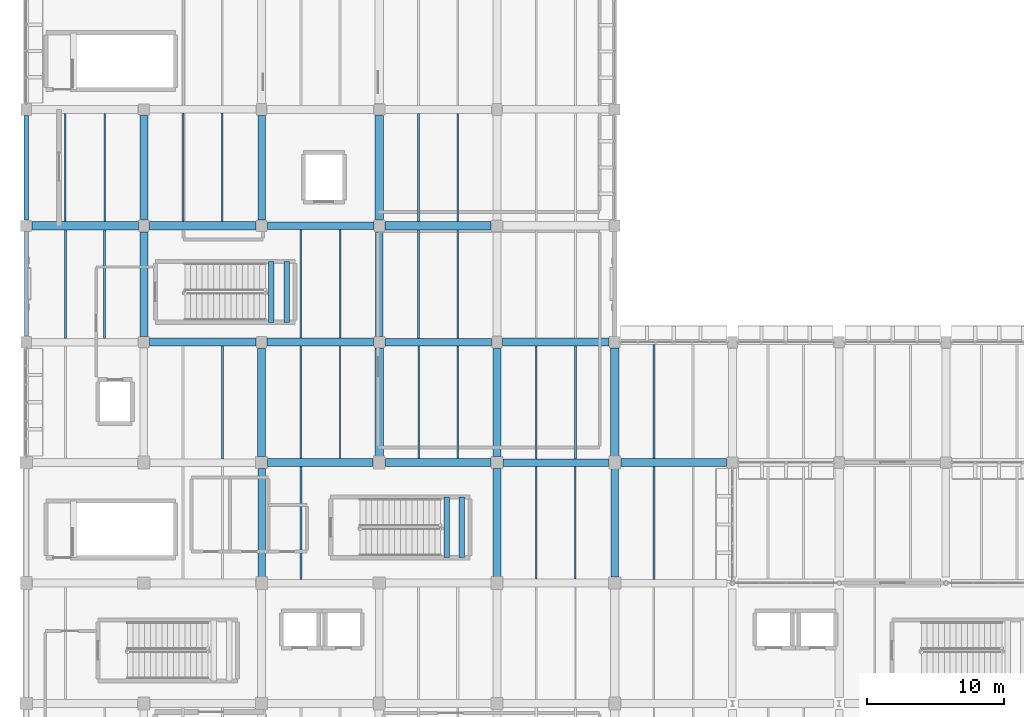
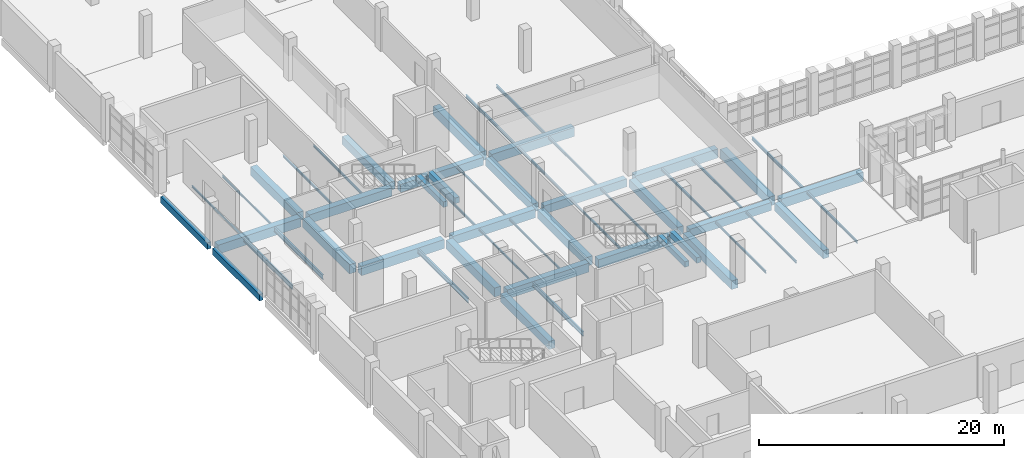
# One storey, part 16 of 76: 54 beams.
"""IFC4 building model written with IfcOpenShell, lengths in metres."""

from ifc_helpers import new_model, si_unit, direction, frame, origin, origin_2d, place, context, subcontext, project, spatial, rectangle, i_section, extrude, material, material_profile, profile_set, type_object, element, save


model = new_model("IFC4")

# Units and contexts
model_context = context("Model", 3, precision=1e-05, world=origin(), true_north=direction((0.0, 1.0)))
body_context = subcontext(model_context, "Body", "Model", "MODEL_VIEW")
ifc_project = project(units=[si_unit("LENGTHUNIT", "METRE"), si_unit("AREAUNIT", "SQUARE_METRE"), si_unit("VOLUMEUNIT", "CUBIC_METRE"), si_unit("PLANEANGLEUNIT", "RADIAN"), si_unit("MASSUNIT", "GRAM", prefix="KILO")], contexts=[model_context])

# Site, building, storey
site_placement = place(None, origin())
site = spatial("IfcSite", under=ifc_project, at=site_placement, CompositionType="ELEMENT")
building_placement = place(site_placement, origin())
building = spatial("IfcBuilding", under=site, at=building_placement, Name="Varnakota Cinema and Media Centre", CompositionType="ELEMENT")
storey_placement = place(building_placement, origin())
storey = spatial("IfcBuildingStorey", under=building, at=storey_placement, Name="L00", CompositionType="ELEMENT", Elevation=0.0)

# Beams
ifc_material_1 = material(Name="Concrete M35", Category="concrete")
ifc_material_profile_1 = material_profile(ifc_material_1, rectangle(XDim=0.39990234375, YDim=0.550048828125, at=origin_2d()), Name="RCB 400x550")
ifc_profile_set_1 = profile_set([ifc_material_profile_1], Name="Concrete M35")
beam_type_1 = type_object("IfcBeamType", Name="BM-RC-400x550", PredefinedType="BEAM", material=ifc_profile_set_1)
for number, where, z_axis, x_axis, name in (
    (1, (30.719970703125, 28.25, 1.77490234375), (0.0, 1.0, 0.0), (-1.0, 0.0, 0.0), "L00 ST-02 landing support beam 1"),
    (2, (31.840087890625, 28.25, 1.77490234375), (0.0, 1.0, 0.0), (-1.0, 0.0, 0.0), "L00 ST-02 landing support beam 2"),
    (3, (17.919921875, 45.449951171875, 1.77490234375), (0.0, 1.0, 0.0), (-1.0, 0.0, 0.0), "L00 ST-03 landing support beam 1"),
    (4, (19.0400390625, 45.449951171875, 1.77490234375), (0.0, 1.0, 0.0), (-1.0, 0.0, 0.0), "L00 ST-03 landing support beam 2"),
):
    element("IfcBeam", number, at=place(storey_placement, frame(where, z_axis=z_axis, x_axis=x_axis)), inside=storey, type_object=beam_type_1, Name=name, PredefinedType="BEAM", context=body_context, shape_type="SweptSolid", body=[
        extrude(rectangle(XDim=0.39990234375, YDim=0.550048828125, at=origin_2d()), origin(), (0.0, 0.0, 1.0), 4.449951171875),
    ])
ifc_material_2 = material(Name="Concrete M35", Category="concrete")
ifc_material_profile_2 = material_profile(ifc_material_2, rectangle(XDim=0.550048828125, YDim=0.800048828125, at=origin_2d()), Name="RCB 550x800")
ifc_profile_set_2 = profile_set([ifc_material_profile_2], Name="Concrete M35")
beam_type_2 = type_object("IfcBeamType", Name="BM-RC-550x800", PredefinedType="BEAM", material=ifc_profile_set_2)
beam_1_placement = place(storey_placement, frame((34.85009765625, 35.199951171875, -0.679931640625), z_axis=(1.0, 0.0, 0.0), x_axis=(0.0, 1.0, 0.0)))
element("IfcBeam", 5, at=beam_1_placement, inside=storey, type_object=beam_type_2, Name="L00 girder E-F/5", PredefinedType="BEAM", context=body_context, shape_type="SweptSolid", body=[
    extrude(rectangle(XDim=0.550048828125, YDim=0.800048828125, at=origin_2d()), origin(), (0.0, 0.0, 1.0), 7.699951171875),
])
for number, where, z_axis, x_axis, name in (
    (6, (26.22509765625, 44.0, -0.679931640625), (1.0, 0.0, 0.0), (0.0, 1.0, 0.0), "L00 girder D-E/6"),
    (7, (17.625, 52.5, -0.679931640625), (1.0, 0.0, 0.0), (0.0, 1.0, 0.0), "L00 girder C-D/7"),
):
    element("IfcBeam", number, at=place(storey_placement, frame(where, z_axis=z_axis, x_axis=x_axis)), inside=storey, type_object=beam_type_2, Name=name, PredefinedType="BEAM", context=body_context, shape_type="SweptSolid", body=[
        extrude(rectangle(XDim=0.550048828125, YDim=0.800048828125, at=origin_2d()), origin(), (0.0, 0.0, 1.0), 7.77490234375),
    ])
beam_2_placement = place(storey_placement, frame((17.199951171875, 26.85009765625, -0.679931640625), z_axis=(0.0, 1.0, 0.0), x_axis=(-1.0, 0.0, 0.0)))
element("IfcBeam", 8, at=beam_2_placement, inside=storey, type_object=beam_type_2, Name="L00 girder C/4-5", PredefinedType="BEAM", context=body_context, shape_type="SweptSolid", body=[
    extrude(rectangle(XDim=0.550048828125, YDim=0.800048828125, at=origin_2d()), origin(), (0.0, 0.0, 1.0), 7.89990234375),
])
for number, where, z_axis, x_axis, name in (
    (9, (17.199951171875, 52.925048828125, -0.679931640625), (0.0, 1.0, 0.0), (-1.0, 0.0, 0.0), "L00 girder C/7-8"),
    (10, (25.800048828125, 44.425048828125, -0.679931640625), (0.0, 1.0, 0.0), (-1.0, 0.0, 0.0), "L00 girder D/6-7"),
):
    element("IfcBeam", number, at=place(storey_placement, frame(where, z_axis=z_axis, x_axis=x_axis)), inside=storey, type_object=beam_type_2, Name=name, PredefinedType="BEAM", context=body_context, shape_type="SweptSolid", body=[
        extrude(rectangle(XDim=0.550048828125, YDim=0.800048828125, at=origin_2d()), origin(), (0.0, 0.0, 1.0), 7.625),
    ])
beam_3_placement = place(storey_placement, frame((34.39990234375, 35.64990234375, -0.679931640625), z_axis=(0.0, 1.0, 0.0), x_axis=(-1.0, 0.0, 0.0)))
element("IfcBeam", 11, at=beam_3_placement, inside=storey, type_object=beam_type_2, Name="L00 girder E/5-6", PredefinedType="BEAM", context=body_context, shape_type="SweptSolid", body=[
    extrude(rectangle(XDim=0.550048828125, YDim=0.800048828125, at=origin_2d()), origin(), (0.0, 0.0, 1.0), 7.900146484375),
])
beam_4_placement = place(storey_placement, frame((43.0, 26.85009765625, -0.679931640625), z_axis=(0.0, 1.0, 0.0), x_axis=(-1.0, 0.0, 0.0)))
element("IfcBeam", 12, at=beam_4_placement, inside=storey, type_object=beam_type_2, Name="L00 girder F/4-5", PredefinedType="BEAM", context=body_context, shape_type="SweptSolid", body=[
    extrude(rectangle(XDim=0.550048828125, YDim=0.800048828125, at=origin_2d()), origin(), (0.0, 0.0, 1.0), 7.89990234375),
])
ifc_material_3 = material(Name="Concrete M35", Category="concrete")
ifc_material_profile_3 = material_profile(ifc_material_3, rectangle(XDim=0.60009765625, YDim=0.85009765625, at=origin_2d()), Name="RCB 600x850")
ifc_profile_set_3 = profile_set([ifc_material_profile_3], Name="Concrete M35")
beam_type_3 = type_object("IfcBeamType", Name="BM-RC-600x850", PredefinedType="BEAM", material=ifc_profile_set_3)
beam_5_placement = place(storey_placement, frame((26.25, 35.199951171875, -0.705078125), z_axis=(1.0, 0.0, 0.0), x_axis=(0.0, 1.0, 0.0)))
element("IfcBeam", 13, at=beam_5_placement, inside=storey, type_object=beam_type_3, Name="L00 girder D-E/5", PredefinedType="BEAM", context=body_context, shape_type="SweptSolid", body=[
    extrude(rectangle(XDim=0.60009765625, YDim=0.85009765625, at=origin_2d()), origin(), (0.0, 0.0, 1.0), 7.699951171875),
])
for number, where, z_axis, x_axis, name in (
    (14, (17.60009765625, 44.0, -0.705078125), (1.0, 0.0, 0.0), (0.0, 1.0, 0.0), "L00 girder C-D/6"),
    (15, (9.0, 52.5, -0.705078125), (1.0, 0.0, 0.0), (0.0, 1.0, 0.0), "L00 girder B-C/7"),
):
    element("IfcBeam", number, at=place(storey_placement, frame(where, z_axis=z_axis, x_axis=x_axis)), inside=storey, type_object=beam_type_3, Name=name, PredefinedType="BEAM", context=body_context, shape_type="SweptSolid", body=[
        extrude(rectangle(XDim=0.60009765625, YDim=0.85009765625, at=origin_2d()), origin(), (0.0, 0.0, 1.0), 7.77490234375),
    ])
beam_6_placement = place(storey_placement, frame((8.60009765625, 52.949951171875, -0.705078125), z_axis=(0.0, 1.0, 0.0), x_axis=(-1.0, 0.0, 0.0)))
element("IfcBeam", 16, at=beam_6_placement, inside=storey, type_object=beam_type_3, Name="L00 girder B/7-8", PredefinedType="BEAM", context=body_context, shape_type="SweptSolid", body=[
    extrude(rectangle(XDim=0.60009765625, YDim=0.85009765625, at=origin_2d()), origin(), (0.0, 0.0, 1.0), 7.625),
])
beam_7_placement = place(storey_placement, frame((25.800048828125, 35.64990234375, -0.705078125), z_axis=(0.0, 1.0, 0.0), x_axis=(-1.0, 0.0, 0.0)))
element("IfcBeam", 17, at=beam_7_placement, inside=storey, type_object=beam_type_3, Name="L00 girder D/5-6", PredefinedType="BEAM", context=body_context, shape_type="SweptSolid", body=[
    extrude(rectangle(XDim=0.60009765625, YDim=0.85009765625, at=origin_2d()), origin(), (0.0, 0.0, 1.0), 7.925048828125),
])
beam_8_placement = place(storey_placement, frame((34.39990234375, 26.85009765625, -0.705078125), z_axis=(0.0, 1.0, 0.0), x_axis=(-1.0, 0.0, 0.0)))
element("IfcBeam", 18, at=beam_8_placement, inside=storey, type_object=beam_type_3, Name="L00 girder E/4-5", PredefinedType="BEAM", context=body_context, shape_type="SweptSolid", body=[
    extrude(rectangle(XDim=0.60009765625, YDim=0.85009765625, at=origin_2d()), origin(), (0.0, 0.0, 1.0), 7.89990234375),
])
ifc_material_4 = material(Name="Concrete M40", Category="concrete")
ifc_material_profile_4 = material_profile(ifc_material_4, rectangle(XDim=0.60009765625, YDim=0.89990234375, at=origin_2d()), Name="RCB 600x900")
ifc_profile_set_4 = profile_set([ifc_material_profile_4], Name="Concrete M40")
beam_type_4 = type_object("IfcBeamType", Name="BM-RC-600x900", PredefinedType="BEAM", material=ifc_profile_set_4)
beam_9_placement = place(storey_placement, frame((17.64990234375, 35.199951171875, -0.72998046875), z_axis=(1.0, 0.0, 0.0), x_axis=(0.0, 1.0, 0.0)))
element("IfcBeam", 19, at=beam_9_placement, inside=storey, type_object=beam_type_4, Name="L00 girder C-D/5", PredefinedType="BEAM", context=body_context, shape_type="SweptSolid", body=[
    extrude(rectangle(XDim=0.60009765625, YDim=0.89990234375, at=origin_2d()), origin(), (0.0, 0.0, 1.0), 7.7001953125),
])
beam_10_placement = place(storey_placement, frame((43.449951171875, 35.199951171875, -0.72998046875), z_axis=(1.0, 0.0, 0.0), x_axis=(0.0, 1.0, 0.0)))
element("IfcBeam", 20, at=beam_10_placement, inside=storey, type_object=beam_type_4, Name="L00 girder F-G/5", PredefinedType="BEAM", context=body_context, shape_type="SweptSolid", body=[
    extrude(rectangle(XDim=0.60009765625, YDim=0.89990234375, at=origin_2d()), origin(), (0.0, 0.0, 1.0), 7.72509765625),
])
beam_11_placement = place(storey_placement, frame((9.02490234375, 44.0, -0.72998046875), z_axis=(1.0, 0.0, 0.0), x_axis=(0.0, 1.0, 0.0)))
element("IfcBeam", 21, at=beam_11_placement, inside=storey, type_object=beam_type_4, Name="L00 girder B-C/6", PredefinedType="BEAM", context=body_context, shape_type="SweptSolid", body=[
    extrude(rectangle(XDim=0.60009765625, YDim=0.89990234375, at=origin_2d()), origin(), (0.0, 0.0, 1.0), 7.775146484375),
])
for number, where, z_axis, x_axis, name in (
    (22, (34.800048828125, 44.0, -0.72998046875), (1.0, 0.0, 0.0), (0.0, 1.0, 0.0), "L00 girder E-F/6"),
    (23, (0.425048828125, 52.5, -0.72998046875), (1.0, 0.0, 0.0), (0.0, 1.0, 0.0), "L00 girder A-B/7"),
):
    element("IfcBeam", number, at=place(storey_placement, frame(where, z_axis=z_axis, x_axis=x_axis)), inside=storey, type_object=beam_type_4, Name=name, PredefinedType="BEAM", context=body_context, shape_type="SweptSolid", body=[
        extrude(rectangle(XDim=0.60009765625, YDim=0.89990234375, at=origin_2d()), origin(), (0.0, 0.0, 1.0), 7.77490234375),
    ])
beam_12_placement = place(storey_placement, frame((26.199951171875, 52.5, -0.72998046875), z_axis=(1.0, 0.0, 0.0), x_axis=(0.0, 1.0, 0.0)))
element("IfcBeam", 24, at=beam_12_placement, inside=storey, type_object=beam_type_4, Name="L00 girder D-E/7", PredefinedType="BEAM", context=body_context, shape_type="SweptSolid", body=[
    extrude(rectangle(XDim=0.60009765625, YDim=0.89990234375, at=origin_2d()), origin(), (0.0, 0.0, 1.0), 7.775146484375),
])
beam_13_placement = place(storey_placement, frame((8.60009765625, 44.425048828125, -0.72998046875), z_axis=(0.0, 1.0, 0.0), x_axis=(-1.0, 0.0, 0.0)))
element("IfcBeam", 25, at=beam_13_placement, inside=storey, type_object=beam_type_4, Name="L00 girder B/6-7", PredefinedType="BEAM", context=body_context, shape_type="SweptSolid", body=[
    extrude(rectangle(XDim=0.60009765625, YDim=0.89990234375, at=origin_2d()), origin(), (0.0, 0.0, 1.0), 7.625),
])
beam_14_placement = place(storey_placement, frame((17.199951171875, 35.64990234375, -0.72998046875), z_axis=(0.0, 1.0, 0.0), x_axis=(-1.0, 0.0, 0.0)))
element("IfcBeam", 26, at=beam_14_placement, inside=storey, type_object=beam_type_4, Name="L00 girder C/5-6", PredefinedType="BEAM", context=body_context, shape_type="SweptSolid", body=[
    extrude(rectangle(XDim=0.60009765625, YDim=0.89990234375, at=origin_2d()), origin(), (0.0, 0.0, 1.0), 7.900146484375),
])
beam_15_placement = place(storey_placement, frame((25.800048828125, 52.949951171875, -0.72998046875), z_axis=(0.0, 1.0, 0.0), x_axis=(-1.0, 0.0, 0.0)))
element("IfcBeam", 27, at=beam_15_placement, inside=storey, type_object=beam_type_4, Name="L00 girder D/7-8", PredefinedType="BEAM", context=body_context, shape_type="SweptSolid", body=[
    extrude(rectangle(XDim=0.60009765625, YDim=0.89990234375, at=origin_2d()), origin(), (0.0, 0.0, 1.0), 7.625),
])
beam_16_placement = place(storey_placement, frame((43.0, 35.64990234375, -0.72998046875), z_axis=(0.0, 1.0, 0.0), x_axis=(-1.0, 0.0, 0.0)))
element("IfcBeam", 28, at=beam_16_placement, inside=storey, type_object=beam_type_4, Name="L00 girder F/5-6", PredefinedType="BEAM", context=body_context, shape_type="SweptSolid", body=[
    extrude(rectangle(XDim=0.60009765625, YDim=0.89990234375, at=origin_2d()), origin(), (0.0, 0.0, 1.0), 7.925048828125),
])
ifc_material_5 = material(Name="Concrete M40", Category="concrete")
ifc_material_profile_5 = material_profile(ifc_material_5, rectangle(XDim=0.35009765625, YDim=0.64990234375, at=origin_2d()), Name="RCB 350x650")
ifc_profile_set_5 = profile_set([ifc_material_profile_5], Name="Concrete M40")
beam_type_5 = type_object("IfcBeamType", Name="BM-SP-350x650", PredefinedType="SPANDREL", material=ifc_profile_set_5)
for number, where, z_axis, x_axis, name in (
    (29, (0.0, 44.449951171875, -0.60498046875), (0.0, 1.0, 0.0), (-1.0, 0.0, 0.0), "L00 girder A/6-7"),
    (30, (0.0, 52.925048828125, -0.60498046875), (0.0, 1.0, 0.0), (-1.0, 0.0, 0.0), "L00 girder A/7-8"),
):
    element("IfcBeam", number, at=place(storey_placement, frame(where, z_axis=z_axis, x_axis=x_axis)), inside=storey, type_object=beam_type_5, Name=name, PredefinedType="SPANDREL", context=body_context, shape_type="SweptSolid", body=[
        extrude(rectangle(XDim=0.35009765625, YDim=0.64990234375, at=origin_2d()), origin(), (0.0, 0.0, 1.0), 7.625),
    ])
ifc_material_6 = material(Name="Structural steel Grade 350 (E350)", Category="steel")
ifc_material_profile_6 = material_profile(ifc_material_6, i_section(OverallWidth=0.10009765625, OverallDepth=0.199951171875, WebThickness=0.005615234375, FlangeThickness=0.0107421875, FilletRadius=0.010986328125, at=origin_2d()), Name="ISMB 200")
ifc_profile_set_6 = profile_set([ifc_material_profile_6], Name="Structural steel Grade 350 (E350)")
beam_type_6 = type_object("IfcBeamType", Name="BM-ST-ISMB200", PredefinedType="JOIST", material=ifc_profile_set_6)
for number, where, z_axis, x_axis, name in (
    (31, (2.86669921875, 52.800048828125, -0.3798828125), (0.0, 1.0, 0.0), (-1.0, 0.0, 0.0), "L00 steel joist A-B/7-8 #1"),
    (32, (5.7333984375, 52.800048828125, -0.3798828125), (0.0, 1.0, 0.0), (-1.0, 0.0, 0.0), "L00 steel joist A-B/7-8 #2"),
):
    element("IfcBeam", number, at=place(storey_placement, frame(where, z_axis=z_axis, x_axis=x_axis)), inside=storey, type_object=beam_type_6, Name=name, PredefinedType="JOIST", context=body_context, shape_type="SweptSolid", body=[
        extrude(i_section(OverallWidth=0.10009765625, OverallDepth=0.199951171875, WebThickness=0.005615234375, FlangeThickness=0.0107421875, FilletRadius=0.010986328125, at=origin_2d()), origin(), (0.0, 0.0, 1.0), 7.89990234375),
    ])
for number, where, z_axis, x_axis, name in (
    (33, (20.066650390625, 35.5, -0.3798828125), (0.0, 1.0, 0.0), (-1.0, 0.0, 0.0), "L00 steel joist C-D/5-6 #1"),
    (34, (22.933349609375, 35.5, -0.3798828125), (0.0, 1.0, 0.0), (-1.0, 0.0, 0.0), "L00 steel joist C-D/5-6 #2"),
):
    element("IfcBeam", number, at=place(storey_placement, frame(where, z_axis=z_axis, x_axis=x_axis)), inside=storey, type_object=beam_type_6, Name=name, PredefinedType="JOIST", context=body_context, shape_type="SweptSolid", body=[
        extrude(i_section(OverallWidth=0.10009765625, OverallDepth=0.199951171875, WebThickness=0.005615234375, FlangeThickness=0.0107421875, FilletRadius=0.010986328125, at=origin_2d()), origin(), (0.0, 0.0, 1.0), 8.199951171875),
    ])
ifc_material_7 = material(Name="Structural steel Grade 350 (E350)", Category="steel")
ifc_material_profile_7 = material_profile(ifc_material_7, i_section(OverallWidth=0.110107421875, OverallDepth=0.22509765625, WebThickness=0.006591796875, FlangeThickness=0.01171875, FilletRadius=0.011962890625, at=origin_2d()), Name="ISMB 225")
ifc_profile_set_7 = profile_set([ifc_material_profile_7], Name="Structural steel Grade 350 (E350)")
beam_type_7 = type_object("IfcBeamType", Name="BM-ST-ISMB225", PredefinedType="JOIST", material=ifc_profile_set_7)
for number, where, z_axis, x_axis, name in (
    (35, (11.466796875, 52.800048828125, -0.392578125), (0.0, 1.0, 0.0), (-1.0, 0.0, 0.0), "L00 steel joist B-C/7-8 #1"),
    (36, (14.333251953125, 52.800048828125, -0.392578125), (0.0, 1.0, 0.0), (-1.0, 0.0, 0.0), "L00 steel joist B-C/7-8 #2"),
    (37, (20.066650390625, 44.300048828125, -0.392578125), (0.0, 1.0, 0.0), (-1.0, 0.0, 0.0), "L00 steel joist C-D/6-7 #1"),
    (38, (22.933349609375, 44.300048828125, -0.392578125), (0.0, 1.0, 0.0), (-1.0, 0.0, 0.0), "L00 steel joist C-D/6-7 #2"),
):
    element("IfcBeam", number, at=place(storey_placement, frame(where, z_axis=z_axis, x_axis=x_axis)), inside=storey, type_object=beam_type_7, Name=name, PredefinedType="JOIST", context=body_context, shape_type="SweptSolid", body=[
        extrude(i_section(OverallWidth=0.110107421875, OverallDepth=0.22509765625, WebThickness=0.006591796875, FlangeThickness=0.01171875, FilletRadius=0.011962890625, at=origin_2d()), origin(), (0.0, 0.0, 1.0), 7.925048828125),
    ])
for number, where, z_axis, x_axis, name in (
    (39, (28.666748046875, 35.5, -0.392578125), (0.0, 1.0, 0.0), (-1.0, 0.0, 0.0), "L00 steel joist D-E/5-6 #1"),
    (40, (31.533203125, 35.5, -0.392578125), (0.0, 1.0, 0.0), (-1.0, 0.0, 0.0), "L00 steel joist D-E/5-6 #2"),
    (41, (37.2666015625, 26.699951171875, -0.392578125), (0.0, 1.0, 0.0), (-1.0, 0.0, 0.0), "L00 steel joist E-F/4-5 #1"),
    (42, (40.13330078125, 26.699951171875, -0.392578125), (0.0, 1.0, 0.0), (-1.0, 0.0, 0.0), "L00 steel joist E-F/4-5 #2"),
):
    element("IfcBeam", number, at=place(storey_placement, frame(where, z_axis=z_axis, x_axis=x_axis)), inside=storey, type_object=beam_type_7, Name=name, PredefinedType="JOIST", context=body_context, shape_type="SweptSolid", body=[
        extrude(i_section(OverallWidth=0.110107421875, OverallDepth=0.22509765625, WebThickness=0.006591796875, FlangeThickness=0.01171875, FilletRadius=0.011962890625, at=origin_2d()), origin(), (0.0, 0.0, 1.0), 8.22509765625),
    ])
ifc_material_8 = material(Name="Structural steel Grade 350 (E350)", Category="steel")
ifc_material_profile_8 = material_profile(ifc_material_8, i_section(OverallWidth=0.125, OverallDepth=0.25, WebThickness=0.0068359375, FlangeThickness=0.012451171875, FilletRadius=0.012939453125, at=origin_2d()), Name="ISMB 250")
ifc_profile_set_8 = profile_set([ifc_material_profile_8], Name="Structural steel Grade 350 (E350)")
beam_type_8 = type_object("IfcBeamType", Name="BM-ST-ISMB250", PredefinedType="JOIST", material=ifc_profile_set_8)
for number, where, z_axis, x_axis, name in (
    (43, (28.666748046875, 44.27490234375, -0.405029296875), (0.0, 1.0, 0.0), (-1.0, 0.0, 0.0), "L00 steel joist D-E/6-7 #1"),
    (44, (31.533203125, 44.27490234375, -0.405029296875), (0.0, 1.0, 0.0), (-1.0, 0.0, 0.0), "L00 steel joist D-E/6-7 #2"),
):
    element("IfcBeam", number, at=place(storey_placement, frame(where, z_axis=z_axis, x_axis=x_axis)), inside=storey, type_object=beam_type_8, Name=name, PredefinedType="JOIST", context=body_context, shape_type="SweptSolid", body=[
        extrude(i_section(OverallWidth=0.125, OverallDepth=0.25, WebThickness=0.0068359375, FlangeThickness=0.012451171875, FilletRadius=0.012939453125, at=origin_2d()), origin(), (0.0, 0.0, 1.0), 7.925048828125),
    ])
for number, where, z_axis, x_axis, name in (
    (45, (37.2666015625, 35.47509765625, -0.405029296875), (0.0, 1.0, 0.0), (-1.0, 0.0, 0.0), "L00 steel joist E-F/5-6 #1"),
    (46, (40.13330078125, 35.47509765625, -0.405029296875), (0.0, 1.0, 0.0), (-1.0, 0.0, 0.0), "L00 steel joist E-F/5-6 #2"),
    (47, (45.86669921875, 26.675048828125, -0.405029296875), (0.0, 1.0, 0.0), (-1.0, 0.0, 0.0), "L00 steel joist F-G/4-5 #1"),
):
    element("IfcBeam", number, at=place(storey_placement, frame(where, z_axis=z_axis, x_axis=x_axis)), inside=storey, type_object=beam_type_8, Name=name, PredefinedType="JOIST", context=body_context, shape_type="SweptSolid", body=[
        extrude(i_section(OverallWidth=0.125, OverallDepth=0.25, WebThickness=0.0068359375, FlangeThickness=0.012451171875, FilletRadius=0.012939453125, at=origin_2d()), origin(), (0.0, 0.0, 1.0), 8.224853515625),
    ])
ifc_material_9 = material(Name="Structural steel Grade 350 (E350)", Category="steel")
ifc_material_profile_9 = material_profile(ifc_material_9, i_section(OverallWidth=0.139892578125, OverallDepth=0.300048828125, WebThickness=0.0078125, FlangeThickness=0.01318359375, FilletRadius=0.013916015625, at=origin_2d()), Name="ISMB 300")
ifc_profile_set_9 = profile_set([ifc_material_profile_9], Name="Structural steel Grade 350 (E350)")
beam_type_9 = type_object("IfcBeamType", Name="BM-ST-ISMB300", PredefinedType="JOIST", material=ifc_profile_set_9)
for number, where, z_axis, x_axis, name in (
    (48, (28.666748046875, 52.800048828125, -0.429931640625), (0.0, 1.0, 0.0), (-1.0, 0.0, 0.0), "L00 steel joist D-E/7-8 #1"),
    (49, (31.533203125, 52.800048828125, -0.429931640625), (0.0, 1.0, 0.0), (-1.0, 0.0, 0.0), "L00 steel joist D-E/7-8 #2"),
):
    element("IfcBeam", number, at=place(storey_placement, frame(where, z_axis=z_axis, x_axis=x_axis)), inside=storey, type_object=beam_type_9, Name=name, PredefinedType="JOIST", context=body_context, shape_type="SweptSolid", body=[
        extrude(i_section(OverallWidth=0.139892578125, OverallDepth=0.300048828125, WebThickness=0.0078125, FlangeThickness=0.01318359375, FilletRadius=0.013916015625, at=origin_2d()), origin(), (0.0, 0.0, 1.0), 7.89990234375),
    ])
beam_17_placement = place(storey_placement, frame((45.86669921875, 35.5, -0.429931640625), z_axis=(0.0, 1.0, 0.0), x_axis=(-1.0, 0.0, 0.0)))
element("IfcBeam", 50, at=beam_17_placement, inside=storey, type_object=beam_type_9, Name="L00 steel joist F-G/5-6 #1", PredefinedType="JOIST", context=body_context, shape_type="SweptSolid", body=[
    extrude(i_section(OverallWidth=0.139892578125, OverallDepth=0.300048828125, WebThickness=0.0078125, FlangeThickness=0.01318359375, FilletRadius=0.013916015625, at=origin_2d()), origin(), (0.0, 0.0, 1.0), 8.324951171875),
])
ifc_material_10 = material(Name="Structural steel Grade 350 (E350)", Category="steel")
ifc_material_profile_10 = material_profile(ifc_material_10, i_section(OverallWidth=0.14990234375, OverallDepth=0.449951171875, WebThickness=0.009521484375, FlangeThickness=0.017333984375, FilletRadius=0.014892578125, at=origin_2d()), Name="ISMB 450")
ifc_profile_set_10 = profile_set([ifc_material_profile_10], Name="Structural steel Grade 350 (E350)")
beam_type_10 = type_object("IfcBeamType", Name="BM-ST-ISMB450", PredefinedType="BEAM", material=ifc_profile_set_10)
for number, where, z_axis, x_axis, name in (
    (51, (2.86669921875, 44.27490234375, -0.5048828125), (0.0, 1.0, 0.0), (-1.0, 0.0, 0.0), "L00 steel joist A-B/6-7 #1"),
    (52, (5.7333984375, 44.27490234375, -0.5048828125), (0.0, 1.0, 0.0), (-1.0, 0.0, 0.0), "L00 steel joist A-B/6-7 #2"),
):
    element("IfcBeam", number, at=place(storey_placement, frame(where, z_axis=z_axis, x_axis=x_axis)), inside=storey, type_object=beam_type_10, Name=name, PredefinedType="BEAM", context=body_context, shape_type="SweptSolid", body=[
        extrude(i_section(OverallWidth=0.14990234375, OverallDepth=0.449951171875, WebThickness=0.009521484375, FlangeThickness=0.017333984375, FilletRadius=0.014892578125, at=origin_2d()), origin(), (0.0, 0.0, 1.0), 7.925048828125),
    ])
for number, where, z_axis, x_axis, name in (
    (53, (14.333251953125, 35.47509765625, -0.5048828125), (0.0, 1.0, 0.0), (-1.0, 0.0, 0.0), "L00 steel joist B-C/5-6 #2"),
    (54, (20.066650390625, 26.675048828125, -0.5048828125), (0.0, 1.0, 0.0), (-1.0, 0.0, 0.0), "L00 steel joist C-D/4-5 #1"),
):
    element("IfcBeam", number, at=place(storey_placement, frame(where, z_axis=z_axis, x_axis=x_axis)), inside=storey, type_object=beam_type_10, Name=name, PredefinedType="BEAM", context=body_context, shape_type="SweptSolid", body=[
        extrude(i_section(OverallWidth=0.14990234375, OverallDepth=0.449951171875, WebThickness=0.009521484375, FlangeThickness=0.017333984375, FilletRadius=0.014892578125, at=origin_2d()), origin(), (0.0, 0.0, 1.0), 8.224853515625),
    ])

save(model, "model.ifc")
